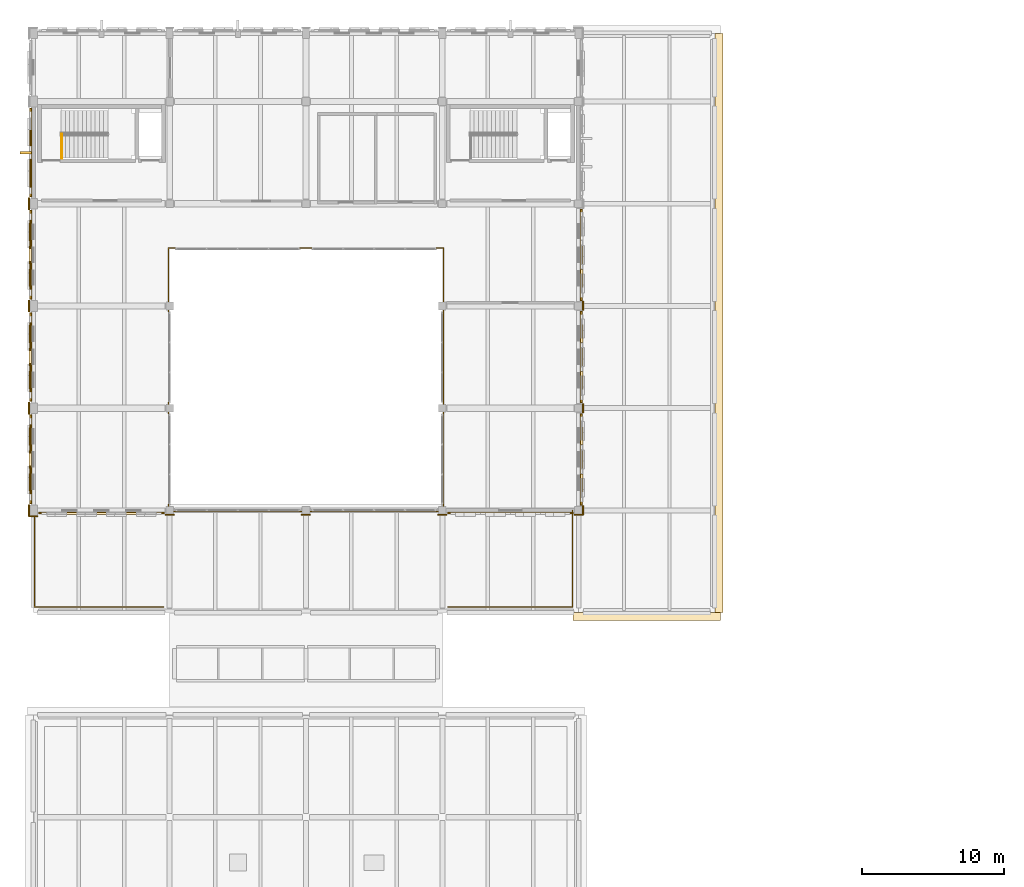
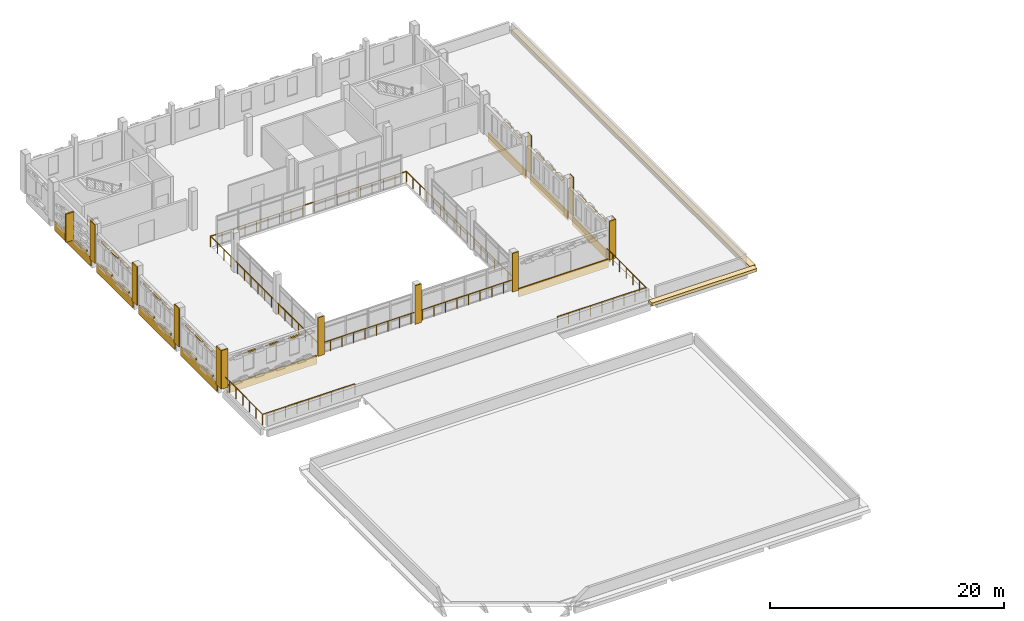
# One storey, part 44 of 50: 59 coverings, 5 railings.
"""IFC4 building model written with IfcOpenShell, lengths in metres."""

from ifc_helpers import new_model, si_unit, direction, frame, origin, origin_2d, place, context, subcontext, project, spatial, rectangle, circle, extrude, material, layer, layer_set, type_object, element, save


model = new_model("IFC4")

# Units and contexts
model_context = context("Model", 3, precision=1e-05, world=origin(), true_north=direction((0.0, 1.0)))
body_context = subcontext(model_context, "Body", "Model", "MODEL_VIEW")
ifc_project = project(units=[si_unit("LENGTHUNIT", "METRE"), si_unit("AREAUNIT", "SQUARE_METRE"), si_unit("VOLUMEUNIT", "CUBIC_METRE"), si_unit("PLANEANGLEUNIT", "RADIAN"), si_unit("MASSUNIT", "GRAM", prefix="KILO")], contexts=[model_context])

# Site, building, storey
site_placement = place(None, origin())
site = spatial("IfcSite", under=ifc_project, at=site_placement, CompositionType="ELEMENT")
building_placement = place(site_placement, origin())
building = spatial("IfcBuilding", under=site, at=building_placement, Name="Asteropetra Specialist Clinic", CompositionType="ELEMENT")
storey_placement = place(building_placement, frame((0.0, 0.0, 16.659912109375)))
storey = spatial("IfcBuildingStorey", under=building, at=storey_placement, Name="L04", CompositionType="ELEMENT", Elevation=16.659912109375)

# Railings
ifc_material_1 = material(Name="Pentelic marble and bronze balustrade", Category="masonry")
railing_type_1 = type_object("IfcRailingType", Name="BAL-STONE-1150", PredefinedType="BALUSTRADE", material=ifc_material_1)
railing_1_placement = place(storey_placement, frame((0.080078125, 76.800048828125, 0.0)))
element("IfcRailing", 1, at=railing_1_placement, inside=storey, type_object=railing_type_1, Name="Perimeter Guard BAL-V4-L04S-W", PredefinedType="BALUSTRADE", context=body_context, shape_type="SweptSolid", body=[
    extrude(circle(Radius=0.02392578125, at=origin_2d()), frame((0.0, 0.0, 1.1259765625), z_axis=(0.0, -1.0, 0.0), x_axis=(1.0, 0.0, 0.0)), (0.0, 0.0, 1.0), 6.800048828125),
    extrude(circle(Radius=0.02392578125, at=origin_2d()), frame((0.0, -6.800048828125, 1.1259765625), z_axis=(1.0, 0.0, 0.0), x_axis=(0.0, 1.0, 0.0)), (0.0, 0.0, 1.0), 9.099853515625),
    extrude(circle(Radius=0.02099609375, at=origin_2d()), origin(), (0.0, 0.0, 1.0), 1.101806640625),
    extrude(circle(Radius=0.02099609375, at=origin_2d()), frame((0.0, -1.13330078125, 0.0)), (0.0, 0.0, 1.0), 1.101806640625),
    extrude(circle(Radius=0.02099609375, at=origin_2d()), frame((0.0, -2.2666015625, 0.0)), (0.0, 0.0, 1.0), 1.101806640625),
    extrude(circle(Radius=0.02099609375, at=origin_2d()), frame((0.0, -3.39990234375, 0.0)), (0.0, 0.0, 1.0), 1.101806640625),
    extrude(circle(Radius=0.02099609375, at=origin_2d()), frame((0.0, -4.533447265625, 0.0)), (0.0, 0.0, 1.0), 1.101806640625),
    extrude(circle(Radius=0.02099609375, at=origin_2d()), frame((0.0, -5.666748046875, 0.0)), (0.0, 0.0, 1.0), 1.101806640625),
    extrude(circle(Radius=0.02099609375, at=origin_2d()), frame((0.0, -6.800048828125, 0.0)), (0.0, 0.0, 1.0), 1.101806640625),
    extrude(circle(Radius=0.02099609375, at=origin_2d()), frame((1.137451171875, -6.800048828125, 0.0)), (0.0, 0.0, 1.0), 1.101806640625),
    extrude(circle(Radius=0.02099609375, at=origin_2d()), frame((2.27490234375, -6.800048828125, 0.0)), (0.0, 0.0, 1.0), 1.101806640625),
    extrude(circle(Radius=0.02099609375, at=origin_2d()), frame((3.412353515625, -6.800048828125, 0.0)), (0.0, 0.0, 1.0), 1.101806640625),
    extrude(circle(Radius=0.02099609375, at=origin_2d()), frame((4.5498046875, -6.800048828125, 0.0)), (0.0, 0.0, 1.0), 1.101806640625),
    extrude(circle(Radius=0.02099609375, at=origin_2d()), frame((5.6875, -6.800048828125, 0.0)), (0.0, 0.0, 1.0), 1.101806640625),
    extrude(circle(Radius=0.02099609375, at=origin_2d()), frame((6.824951171875, -6.800048828125, 0.0)), (0.0, 0.0, 1.0), 1.101806640625),
    extrude(circle(Radius=0.02099609375, at=origin_2d()), frame((7.96240234375, -6.800048828125, 0.0)), (0.0, 0.0, 1.0), 1.101806640625),
    extrude(circle(Radius=0.02099609375, at=origin_2d()), frame((9.099853515625, -6.800048828125, 0.0)), (0.0, 0.0, 1.0), 1.101806640625),
])
railing_2_placement = place(storey_placement, frame((29.219970703125, 70.0, 0.0)))
element("IfcRailing", 2, at=railing_2_placement, inside=storey, type_object=railing_type_1, Name="Perimeter Guard BAL-V4-L04S-E", PredefinedType="BALUSTRADE", context=body_context, shape_type="SweptSolid", body=[
    extrude(circle(Radius=0.02392578125, at=origin_2d()), frame((0.0, 0.0, 1.1259765625), z_axis=(1.0, 0.0, 0.0), x_axis=(0.0, 1.0, 0.0)), (0.0, 0.0, 1.0), 8.760009765625),
    extrude(circle(Radius=0.02392578125, at=origin_2d()), frame((8.760009765625, 0.0, 1.1259765625), z_axis=(0.0, 1.0, 0.0), x_axis=(-1.0, 0.0, 0.0)), (0.0, 0.0, 1.0), 6.800048828125),
    extrude(circle(Radius=0.02099609375, at=origin_2d()), origin(), (0.0, 0.0, 1.0), 1.101806640625),
    extrude(circle(Radius=0.02099609375, at=origin_2d()), frame((1.094970703125, 0.0, 0.0)), (0.0, 0.0, 1.0), 1.101806640625),
    extrude(circle(Radius=0.02099609375, at=origin_2d()), frame((2.18994140625, 0.0, 0.0)), (0.0, 0.0, 1.0), 1.101806640625),
    extrude(circle(Radius=0.02099609375, at=origin_2d()), frame((3.284912109375, 0.0, 0.0)), (0.0, 0.0, 1.0), 1.101806640625),
    extrude(circle(Radius=0.02099609375, at=origin_2d()), frame((4.3798828125, 0.0, 0.0)), (0.0, 0.0, 1.0), 1.101806640625),
    extrude(circle(Radius=0.02099609375, at=origin_2d()), frame((5.47509765625, 0.0, 0.0)), (0.0, 0.0, 1.0), 1.101806640625),
    extrude(circle(Radius=0.02099609375, at=origin_2d()), frame((6.570068359375, 0.0, 0.0)), (0.0, 0.0, 1.0), 1.101806640625),
    extrude(circle(Radius=0.02099609375, at=origin_2d()), frame((7.6650390625, 0.0, 0.0)), (0.0, 0.0, 1.0), 1.101806640625),
    extrude(circle(Radius=0.02099609375, at=origin_2d()), frame((8.760009765625, 0.0, 0.0)), (0.0, 0.0, 1.0), 1.101806640625),
    extrude(circle(Radius=0.02099609375, at=origin_2d()), frame((8.760009765625, 1.13330078125, 0.0)), (0.0, 0.0, 1.0), 1.101806640625),
    extrude(circle(Radius=0.02099609375, at=origin_2d()), frame((8.760009765625, 2.2666015625, 0.0)), (0.0, 0.0, 1.0), 1.101806640625),
    extrude(circle(Radius=0.02099609375, at=origin_2d()), frame((8.760009765625, 3.39990234375, 0.0)), (0.0, 0.0, 1.0), 1.101806640625),
    extrude(circle(Radius=0.02099609375, at=origin_2d()), frame((8.760009765625, 4.533447265625, 0.0)), (0.0, 0.0, 1.0), 1.101806640625),
    extrude(circle(Radius=0.02099609375, at=origin_2d()), frame((8.760009765625, 5.666748046875, 0.0)), (0.0, 0.0, 1.0), 1.101806640625),
    extrude(circle(Radius=0.02099609375, at=origin_2d()), frame((8.760009765625, 6.800048828125, 0.0)), (0.0, 0.0, 1.0), 1.101806640625),
])

# Coverings
ifc_material_2 = material(Name="Chevron ivory")
ifc_layer_1 = layer(ifc_material_2, 0.1201171875)
ifc_layer_set_1 = layer_set([ifc_layer_1], Name="Chevron ivory")
covering_type_1 = type_object("IfcCoveringType", Name="CLD-TER-IVORY", PredefinedType="CLADDING", material=ifc_layer_set_1)
for number, where, z_axis, x_axis, name in (
    (3, (4.800048828125, 76.614990234375, -0.7998046875), (0.0, 0.0, 1.0), (1.0, 0.0, 0.0), "Chevron Spandrel Band CV-1569"),
    (4, (33.60009765625, 76.614990234375, -0.7998046875), (0.0, 0.0, 1.0), (1.0, 0.0, 0.0), "Chevron Spandrel Band CV-1612"),
):
    element("IfcCovering", number, at=place(storey_placement, frame(where, z_axis=z_axis, x_axis=x_axis)), inside=storey, type_object=covering_type_1, Name=name, PredefinedType="CLADDING", context=body_context, shape_type="SweptSolid", body=[
        extrude(rectangle(XDim=8.85009765625, YDim=0.1201171875, at=origin_2d()), origin(), (0.0, 0.0, 1.0), 0.8798828125),
    ])
covering_1_placement = place(storey_placement, frame((-0.18505859375, 80.39990234375, -0.7998046875), z_axis=(0.0, 0.0, 1.0), x_axis=(1.0, 0.0, 0.0)))
element("IfcCovering", 5, at=covering_1_placement, inside=storey, type_object=covering_type_1, Name="Chevron Spandrel Band CV-1627", PredefinedType="CLADDING", context=body_context, shape_type="SweptSolid", body=[
    extrude(rectangle(XDim=0.1201171875, YDim=6.25, at=origin_2d()), origin(), (0.0, 0.0, 1.0), 0.8798828125),
])
for number, where, z_axis, x_axis, name in (
    (6, (-0.199951171875, 82.2822265625, 0.1201171875), (0.0, 0.0, 1.0), (1.0, 0.0, 0.0), "Chevron Ceramic Band CV-1628"),
    (7, (-0.199951171875, 81.422607421875, 0.26025390625), (0.0, 0.0, 1.0), (1.0, 0.0, 0.0), "Chevron Ceramic Band CV-1629"),
    (8, (-0.199951171875, 79.377197265625, 0.1201171875), (0.0, 0.0, 1.0), (1.0, 0.0, 0.0), "Chevron Ceramic Band CV-1630"),
    (9, (-0.199951171875, 78.517578125, 0.26025390625), (0.0, 0.0, 1.0), (1.0, 0.0, 0.0), "Chevron Ceramic Band CV-1631"),
):
    element("IfcCovering", number, at=place(storey_placement, frame(where, z_axis=z_axis, x_axis=x_axis)), inside=storey, type_object=covering_type_1, Name=name, PredefinedType="CLADDING", context=body_context, shape_type="SweptSolid", body=[
        extrude(rectangle(XDim=0.1201171875, YDim=1.10400390625, at=origin_2d()), origin(), (0.0, 0.0, 1.0), 0.199951171875),
    ])
covering_2_placement = place(storey_placement, frame((38.5849609375, 80.39990234375, -0.7998046875), z_axis=(0.0, 0.0, 1.0), x_axis=(1.0, 0.0, 0.0)))
element("IfcCovering", 10, at=covering_2_placement, inside=storey, type_object=covering_type_1, Name="Chevron Spandrel Band CV-1635", PredefinedType="CLADDING", context=body_context, shape_type="SweptSolid", body=[
    extrude(rectangle(XDim=0.1201171875, YDim=6.449951171875, at=origin_2d()), origin(), (0.0, 0.0, 1.0), 0.8798828125),
])
covering_3_placement = place(storey_placement, frame((-0.18505859375, 87.60009765625, -0.7998046875), z_axis=(0.0, 0.0, 1.0), x_axis=(1.0, 0.0, 0.0)))
element("IfcCovering", 11, at=covering_3_placement, inside=storey, type_object=covering_type_1, Name="Chevron Spandrel Band CV-1645", PredefinedType="CLADDING", context=body_context, shape_type="SweptSolid", body=[
    extrude(rectangle(XDim=0.1201171875, YDim=6.25, at=origin_2d()), origin(), (0.0, 0.0, 1.0), 0.8798828125),
])
for number, where, z_axis, x_axis, name in (
    (12, (-0.199951171875, 89.482421875, 0.1201171875), (0.0, 0.0, 1.0), (1.0, 0.0, 0.0), "Chevron Ceramic Band CV-1646"),
    (13, (-0.199951171875, 88.622802734375, 0.26025390625), (0.0, 0.0, 1.0), (1.0, 0.0, 0.0), "Chevron Ceramic Band CV-1647"),
    (14, (-0.199951171875, 86.577392578125, 0.1201171875), (0.0, 0.0, 1.0), (1.0, 0.0, 0.0), "Chevron Ceramic Band CV-1648"),
    (15, (-0.199951171875, 85.7177734375, 0.26025390625), (0.0, 0.0, 1.0), (1.0, 0.0, 0.0), "Chevron Ceramic Band CV-1649"),
):
    element("IfcCovering", number, at=place(storey_placement, frame(where, z_axis=z_axis, x_axis=x_axis)), inside=storey, type_object=covering_type_1, Name=name, PredefinedType="CLADDING", context=body_context, shape_type="SweptSolid", body=[
        extrude(rectangle(XDim=0.1201171875, YDim=1.10400390625, at=origin_2d()), origin(), (0.0, 0.0, 1.0), 0.199951171875),
    ])
covering_4_placement = place(storey_placement, frame((38.5849609375, 87.60009765625, -0.7998046875), z_axis=(0.0, 0.0, 1.0), x_axis=(1.0, 0.0, 0.0)))
element("IfcCovering", 16, at=covering_4_placement, inside=storey, type_object=covering_type_1, Name="Chevron Spandrel Band CV-1653", PredefinedType="CLADDING", context=body_context, shape_type="SweptSolid", body=[
    extrude(rectangle(XDim=0.1201171875, YDim=6.449951171875, at=origin_2d()), origin(), (0.0, 0.0, 1.0), 0.8798828125),
])
covering_5_placement = place(storey_placement, frame((-0.18505859375, 94.800048828125, -0.7998046875), z_axis=(0.0, 0.0, 1.0), x_axis=(1.0, 0.0, 0.0)))
element("IfcCovering", 17, at=covering_5_placement, inside=storey, type_object=covering_type_1, Name="Chevron Spandrel Band CV-1663", PredefinedType="CLADDING", context=body_context, shape_type="SweptSolid", body=[
    extrude(rectangle(XDim=0.1201171875, YDim=6.25, at=origin_2d()), origin(), (0.0, 0.0, 1.0), 0.8798828125),
])
for number, where, z_axis, x_axis, name in (
    (18, (-0.199951171875, 96.682373046875, 0.1201171875), (0.0, 0.0, 1.0), (1.0, 0.0, 0.0), "Chevron Ceramic Band CV-1664"),
    (19, (-0.199951171875, 95.82275390625, 0.26025390625), (0.0, 0.0, 1.0), (1.0, 0.0, 0.0), "Chevron Ceramic Band CV-1665"),
    (20, (-0.199951171875, 93.77734375, 0.1201171875), (0.0, 0.0, 1.0), (1.0, 0.0, 0.0), "Chevron Ceramic Band CV-1666"),
    (21, (-0.199951171875, 92.917724609375, 0.26025390625), (0.0, 0.0, 1.0), (1.0, 0.0, 0.0), "Chevron Ceramic Band CV-1667"),
):
    element("IfcCovering", number, at=place(storey_placement, frame(where, z_axis=z_axis, x_axis=x_axis)), inside=storey, type_object=covering_type_1, Name=name, PredefinedType="CLADDING", context=body_context, shape_type="SweptSolid", body=[
        extrude(rectangle(XDim=0.1201171875, YDim=1.10400390625, at=origin_2d()), origin(), (0.0, 0.0, 1.0), 0.199951171875),
    ])
covering_6_placement = place(storey_placement, frame((38.5849609375, 94.800048828125, -0.7998046875), z_axis=(0.0, 0.0, 1.0), x_axis=(1.0, 0.0, 0.0)))
element("IfcCovering", 22, at=covering_6_placement, inside=storey, type_object=covering_type_1, Name="Chevron Spandrel Band CV-1671", PredefinedType="CLADDING", context=body_context, shape_type="SweptSolid", body=[
    extrude(rectangle(XDim=0.1201171875, YDim=6.449951171875, at=origin_2d()), origin(), (0.0, 0.0, 1.0), 0.8798828125),
])
covering_7_placement = place(storey_placement, frame((-0.18505859375, 102.0, -0.7998046875), z_axis=(0.0, 0.0, 1.0), x_axis=(1.0, 0.0, 0.0)))
element("IfcCovering", 23, at=covering_7_placement, inside=storey, type_object=covering_type_1, Name="Chevron Spandrel Band CV-1678", PredefinedType="CLADDING", context=body_context, shape_type="SweptSolid", body=[
    extrude(rectangle(XDim=0.1201171875, YDim=6.25, at=origin_2d()), origin(), (0.0, 0.0, 1.0), 0.8798828125),
])
for number, where, z_axis, x_axis, name in (
    (24, (-0.199951171875, 103.022705078125, 0.26025390625), (0.0, 0.0, 1.0), (1.0, 0.0, 0.0), "Chevron Ceramic Band CV-1680"),
    (25, (-0.199951171875, 100.977294921875, 0.1201171875), (0.0, 0.0, 1.0), (1.0, 0.0, 0.0), "Chevron Ceramic Band CV-1681"),
    (26, (-0.199951171875, 100.117919921875, 0.26025390625), (0.0, 0.0, 1.0), (1.0, 0.0, 0.0), "Chevron Ceramic Band CV-1682"),
):
    element("IfcCovering", number, at=place(storey_placement, frame(where, z_axis=z_axis, x_axis=x_axis)), inside=storey, type_object=covering_type_1, Name=name, PredefinedType="CLADDING", context=body_context, shape_type="SweptSolid", body=[
        extrude(rectangle(XDim=0.1201171875, YDim=1.10400390625, at=origin_2d()), origin(), (0.0, 0.0, 1.0), 0.199951171875),
    ])
ifc_material_3 = material(Name="Pentelic marble ashlar", Category="masonry")
ifc_layer_2 = layer(ifc_material_3, 0.159912109375)
ifc_layer_set_2 = layer_set([ifc_layer_2], Name="Pentelic marble ashlar")
covering_type_2 = type_object("IfcCoveringType", Name="CRN-ENTAB-600", PredefinedType="MOLDING", material=ifc_layer_set_2)
covering_8_placement = place(storey_placement, frame((0.0, 76.39306640625, 0.02001953125), z_axis=(0.0, 0.0, 1.0), x_axis=(1.0, 0.0, 0.0)))
element("IfcCovering", 27, at=covering_8_placement, inside=storey, type_object=covering_type_2, Name="Neoclassical Pilaster Facing CM-0701", PredefinedType="MOLDING", context=body_context, shape_type="SweptSolid", body=[
    extrude(rectangle(XDim=0.6298828125, YDim=0.080078125, at=origin_2d()), origin(), (0.0, 0.0, 1.0), 4.0400390625),
])
for number, where, z_axis, x_axis, name in (
    (28, (-0.306884765625, 76.800048828125, 0.02001953125), (0.0, 0.0, 1.0), (1.0, 0.0, 0.0), "Neoclassical Pilaster Facing CM-0702"),
    (29, (-0.306884765625, 84.0, 0.02001953125), (0.0, 0.0, 1.0), (1.0, 0.0, 0.0), "Neoclassical Pilaster Facing CM-0703"),
    (30, (-0.306884765625, 91.199951171875, 0.02001953125), (0.0, 0.0, 1.0), (1.0, 0.0, 0.0), "Neoclassical Pilaster Facing CM-0704"),
    (31, (-0.306884765625, 98.39990234375, 0.02001953125), (0.0, 0.0, 1.0), (1.0, 0.0, 0.0), "Neoclassical Pilaster Facing CM-0705"),
):
    element("IfcCovering", number, at=place(storey_placement, frame(where, z_axis=z_axis, x_axis=x_axis)), inside=storey, type_object=covering_type_2, Name=name, PredefinedType="MOLDING", context=body_context, shape_type="SweptSolid", body=[
        extrude(rectangle(XDim=0.080078125, YDim=0.830078125, at=origin_2d()), origin(), (0.0, 0.0, 1.0), 4.0400390625),
    ])
for number, where, z_axis, x_axis, name in (
    (32, (9.60009765625, 76.492919921875, 0.02001953125), (0.0, 0.0, 1.0), (1.0, 0.0, 0.0), "Neoclassical Pilaster Facing CM-0709"),
    (33, (19.199951171875, 76.492919921875, 0.02001953125), (0.0, 0.0, 1.0), (1.0, 0.0, 0.0), "Neoclassical Pilaster Facing CM-0711"),
    (34, (28.800048828125, 76.492919921875, 0.02001953125), (0.0, 0.0, 1.0), (1.0, 0.0, 0.0), "Neoclassical Pilaster Facing CM-0713"),
    (35, (38.39990234375, 76.492919921875, 0.02001953125), (0.0, 0.0, 1.0), (1.0, 0.0, 0.0), "Neoclassical Pilaster Facing CM-0715"),
):
    element("IfcCovering", number, at=place(storey_placement, frame(where, z_axis=z_axis, x_axis=x_axis)), inside=storey, type_object=covering_type_2, Name=name, PredefinedType="MOLDING", context=body_context, shape_type="SweptSolid", body=[
        extrude(rectangle(XDim=0.6298828125, YDim=0.080078125, at=origin_2d()), origin(), (0.0, 0.0, 1.0), 4.0400390625),
    ])
for number, where, z_axis, x_axis, name in (
    (36, (38.70703125, 76.800048828125, 0.02001953125), (0.0, 0.0, 1.0), (1.0, 0.0, 0.0), "Neoclassical Pilaster Facing CM-0716"),
    (37, (38.70703125, 84.0, 0.02001953125), (0.0, 0.0, 1.0), (1.0, 0.0, 0.0), "Neoclassical Pilaster Facing CM-0717"),
    (38, (38.70703125, 91.199951171875, 0.02001953125), (0.0, 0.0, 1.0), (1.0, 0.0, 0.0), "Neoclassical Pilaster Facing CM-0718"),
):
    element("IfcCovering", number, at=place(storey_placement, frame(where, z_axis=z_axis, x_axis=x_axis)), inside=storey, type_object=covering_type_2, Name=name, PredefinedType="MOLDING", context=body_context, shape_type="SweptSolid", body=[
        extrude(rectangle(XDim=0.080078125, YDim=0.6298828125, at=origin_2d()), origin(), (0.0, 0.0, 1.0), 4.0400390625),
    ])
for number, where, z_axis, x_axis, name in (
    (39, (2.53759765625, 76.5849609375, 2.77001953125), (0.0, 0.0, 1.0), (1.0, 0.0, 0.0), "Classical Window Hood WH-1566"),
    (40, (4.800048828125, 76.5849609375, 2.77001953125), (0.0, 0.0, 1.0), (1.0, 0.0, 0.0), "Classical Window Hood WH-1567"),
    (41, (7.0625, 76.5849609375, 2.77001953125), (0.0, 0.0, 1.0), (1.0, 0.0, 0.0), "Classical Window Hood WH-1568"),
):
    element("IfcCovering", number, at=place(storey_placement, frame(where, z_axis=z_axis, x_axis=x_axis)), inside=storey, type_object=covering_type_2, Name=name, PredefinedType="MOLDING", context=body_context, shape_type="SweptSolid", body=[
        extrude(rectangle(XDim=1.260009765625, YDim=0.159912109375, at=origin_2d()), origin(), (0.0, 0.0, 1.0), 0.139892578125),
    ])
for number, where, z_axis, x_axis, name in (
    (42, (-0.215087890625, 82.012451171875, 2.77001953125), (0.0, 0.0, 1.0), (1.0, 0.0, 0.0), "Classical Window Hood WH-1624"),
    (43, (-0.215087890625, 80.39990234375, 2.77001953125), (0.0, 0.0, 1.0), (1.0, 0.0, 0.0), "Classical Window Hood WH-1625"),
    (44, (-0.215087890625, 78.78759765625, 2.77001953125), (0.0, 0.0, 1.0), (1.0, 0.0, 0.0), "Classical Window Hood WH-1626"),
    (45, (38.614990234375, 78.737548828125, 2.77001953125), (0.0, 0.0, 1.0), (1.0, 0.0, 0.0), "Classical Window Hood WH-1632"),
    (46, (38.614990234375, 80.39990234375, 2.77001953125), (0.0, 0.0, 1.0), (1.0, 0.0, 0.0), "Classical Window Hood WH-1633"),
    (47, (38.614990234375, 82.0625, 2.77001953125), (0.0, 0.0, 1.0), (1.0, 0.0, 0.0), "Classical Window Hood WH-1634"),
    (48, (-0.215087890625, 89.21240234375, 2.77001953125), (0.0, 0.0, 1.0), (1.0, 0.0, 0.0), "Classical Window Hood WH-1642"),
    (49, (-0.215087890625, 87.60009765625, 2.77001953125), (0.0, 0.0, 1.0), (1.0, 0.0, 0.0), "Classical Window Hood WH-1643"),
    (50, (-0.215087890625, 85.987548828125, 2.77001953125), (0.0, 0.0, 1.0), (1.0, 0.0, 0.0), "Classical Window Hood WH-1644"),
    (51, (38.614990234375, 85.9375, 2.77001953125), (0.0, 0.0, 1.0), (1.0, 0.0, 0.0), "Classical Window Hood WH-1650"),
    (52, (38.614990234375, 87.60009765625, 2.77001953125), (0.0, 0.0, 1.0), (1.0, 0.0, 0.0), "Classical Window Hood WH-1651"),
    (53, (38.614990234375, 89.262451171875, 2.77001953125), (0.0, 0.0, 1.0), (1.0, 0.0, 0.0), "Classical Window Hood WH-1652"),
    (54, (-0.215087890625, 96.41259765625, 2.77001953125), (0.0, 0.0, 1.0), (1.0, 0.0, 0.0), "Classical Window Hood WH-1660"),
    (55, (-0.215087890625, 94.800048828125, 2.77001953125), (0.0, 0.0, 1.0), (1.0, 0.0, 0.0), "Classical Window Hood WH-1661"),
    (56, (-0.215087890625, 93.1875, 2.77001953125), (0.0, 0.0, 1.0), (1.0, 0.0, 0.0), "Classical Window Hood WH-1662"),
    (57, (38.614990234375, 93.137451171875, 2.77001953125), (0.0, 0.0, 1.0), (1.0, 0.0, 0.0), "Classical Window Hood WH-1668"),
    (58, (38.614990234375, 94.800048828125, 2.77001953125), (0.0, 0.0, 1.0), (1.0, 0.0, 0.0), "Classical Window Hood WH-1669"),
):
    element("IfcCovering", number, at=place(storey_placement, frame(where, z_axis=z_axis, x_axis=x_axis)), inside=storey, type_object=covering_type_2, Name=name, PredefinedType="MOLDING", context=body_context, shape_type="SweptSolid", body=[
        extrude(rectangle(XDim=0.159912109375, YDim=1.260009765625, at=origin_2d()), origin(), (0.0, 0.0, 1.0), 0.139892578125),
    ])
covering_9_placement = place(storey_placement, frame((43.199951171875, 69.320068359375, -0.27978515625), z_axis=(0.0, 0.0, 1.0), x_axis=(1.0, 0.0, 0.0)))
element("IfcCovering", 59, at=covering_9_placement, inside=storey, type_object=covering_type_2, Name="Classical Entablature Cornice EC-020", PredefinedType="MOLDING", context=body_context, shape_type="SweptSolid", body=[
    extrude(rectangle(XDim=10.39990234375, YDim=0.56005859375, at=origin_2d()), origin(), (0.0, 0.0, 1.0), 0.320068359375),
])
covering_10_placement = place(storey_placement, frame((48.280029296875, 90.0, -0.27978515625), z_axis=(0.0, 0.0, 1.0), x_axis=(1.0, 0.0, 0.0)))
element("IfcCovering", 60, at=covering_10_placement, inside=storey, type_object=covering_type_2, Name="Classical Entablature Cornice EC-022", PredefinedType="MOLDING", context=body_context, shape_type="SweptSolid", body=[
    extrude(rectangle(XDim=0.56005859375, YDim=40.800048828125, at=origin_2d()), origin(), (0.0, 0.0, 1.0), 0.320068359375),
])
ifc_material_4 = material(Name="Pentelic marble solar fin", Category="masonry")
ifc_layer_3 = layer(ifc_material_4, 0.080078125)
ifc_layer_set_3 = layer_set([ifc_layer_3], Name="Pentelic marble solar fin")
covering_type_3 = type_object("IfcCoveringType", Name="FIN-SOLAR-800", PredefinedType="MOLDING", material=ifc_layer_set_3)
covering_11_placement = place(storey_placement, frame((-0.5400390625, 102.0, 0.070068359375), z_axis=(0.0, 0.0, 1.0), x_axis=(1.0, 0.0, 0.0)))
element("IfcCovering", 61, at=covering_11_placement, inside=storey, type_object=covering_type_3, Name="Solar Shading Fin FN-0115", PredefinedType="MOLDING", context=body_context, shape_type="SweptSolid", body=[
    extrude(rectangle(XDim=0.800048828125, YDim=0.159912109375, at=origin_2d()), origin(), (0.0, 0.0, 1.0), 2.93994140625),
])

# Railings
ifc_material_5 = material(Name="Powder-coated Steel S355 guardrail", Category="steel")
railing_type_2 = type_object("IfcRailingType", Name="GRD-EXT-1120", PredefinedType="GUARDRAIL", material=ifc_material_5)
railing_3_placement = place(storey_placement, frame((9.52001953125, 76.719970703125, 0.0)))
element("IfcRailing", 62, at=railing_3_placement, inside=storey, type_object=railing_type_2, Name="Perimeter Guard GRD-CT-L04-05A", PredefinedType="GUARDRAIL", context=body_context, shape_type="SweptSolid", body=[
    extrude(circle(Radius=0.02392578125, at=origin_2d()), frame((0.0, 0.0, 1.09619140625), z_axis=(1.0, 0.0, 0.0), x_axis=(0.0, 1.0, 0.0)), (0.0, 0.0, 1.0), 19.35986328125),
    extrude(circle(Radius=0.02392578125, at=origin_2d()), frame((19.35986328125, 0.0, 1.09619140625), z_axis=(0.0, 1.0, 0.0), x_axis=(-1.0, 0.0, 0.0)), (0.0, 0.0, 1.0), 18.56005859375),
    extrude(circle(Radius=0.02099609375, at=origin_2d()), origin(), (0.0, 0.0, 1.0), 1.072021484375),
    extrude(circle(Radius=0.02099609375, at=origin_2d()), frame((1.138916015625, 0.0, 0.0)), (0.0, 0.0, 1.0), 1.072021484375),
    extrude(circle(Radius=0.02099609375, at=origin_2d()), frame((2.277587890625, 0.0, 0.0)), (0.0, 0.0, 1.0), 1.072021484375),
    extrude(circle(Radius=0.02099609375, at=origin_2d()), frame((3.41650390625, 0.0, 0.0)), (0.0, 0.0, 1.0), 1.072021484375),
    extrude(circle(Radius=0.02099609375, at=origin_2d()), frame((4.55517578125, 0.0, 0.0)), (0.0, 0.0, 1.0), 1.072021484375),
    extrude(circle(Radius=0.02099609375, at=origin_2d()), frame((5.694091796875, 0.0, 0.0)), (0.0, 0.0, 1.0), 1.072021484375),
    extrude(circle(Radius=0.02099609375, at=origin_2d()), frame((6.8330078125, 0.0, 0.0)), (0.0, 0.0, 1.0), 1.072021484375),
    extrude(circle(Radius=0.02099609375, at=origin_2d()), frame((7.9716796875, 0.0, 0.0)), (0.0, 0.0, 1.0), 1.072021484375),
    extrude(circle(Radius=0.02099609375, at=origin_2d()), frame((9.110595703125, 0.0, 0.0)), (0.0, 0.0, 1.0), 1.072021484375),
    extrude(circle(Radius=0.02099609375, at=origin_2d()), frame((10.249267578125, 0.0, 0.0)), (0.0, 0.0, 1.0), 1.072021484375),
    extrude(circle(Radius=0.02099609375, at=origin_2d()), frame((11.38818359375, 0.0, 0.0)), (0.0, 0.0, 1.0), 1.072021484375),
    extrude(circle(Radius=0.02099609375, at=origin_2d()), frame((12.52685546875, 0.0, 0.0)), (0.0, 0.0, 1.0), 1.072021484375),
    extrude(circle(Radius=0.02099609375, at=origin_2d()), frame((13.665771484375, 0.0, 0.0)), (0.0, 0.0, 1.0), 1.072021484375),
    extrude(circle(Radius=0.02099609375, at=origin_2d()), frame((14.8046875, 0.0, 0.0)), (0.0, 0.0, 1.0), 1.072021484375),
    extrude(circle(Radius=0.02099609375, at=origin_2d()), frame((15.943359375, 0.0, 0.0)), (0.0, 0.0, 1.0), 1.072021484375),
    extrude(circle(Radius=0.02099609375, at=origin_2d()), frame((17.082275390625, 0.0, 0.0)), (0.0, 0.0, 1.0), 1.072021484375),
    extrude(circle(Radius=0.02099609375, at=origin_2d()), frame((18.220947265625, 0.0, 0.0)), (0.0, 0.0, 1.0), 1.072021484375),
    extrude(circle(Radius=0.02099609375, at=origin_2d()), frame((19.35986328125, 0.0, 0.0)), (0.0, 0.0, 1.0), 1.072021484375),
    extrude(circle(Radius=0.02099609375, at=origin_2d()), frame((19.35986328125, 1.159912109375, 0.0)), (0.0, 0.0, 1.0), 1.072021484375),
    extrude(circle(Radius=0.02099609375, at=origin_2d()), frame((19.35986328125, 2.320068359375, 0.0)), (0.0, 0.0, 1.0), 1.072021484375),
    extrude(circle(Radius=0.02099609375, at=origin_2d()), frame((19.35986328125, 3.47998046875, 0.0)), (0.0, 0.0, 1.0), 1.072021484375),
    extrude(circle(Radius=0.02099609375, at=origin_2d()), frame((19.35986328125, 4.64013671875, 0.0)), (0.0, 0.0, 1.0), 1.072021484375),
    extrude(circle(Radius=0.02099609375, at=origin_2d()), frame((19.35986328125, 5.800048828125, 0.0)), (0.0, 0.0, 1.0), 1.072021484375),
    extrude(circle(Radius=0.02099609375, at=origin_2d()), frame((19.35986328125, 6.9599609375, 0.0)), (0.0, 0.0, 1.0), 1.072021484375),
    extrude(circle(Radius=0.02099609375, at=origin_2d()), frame((19.35986328125, 8.1201171875, 0.0)), (0.0, 0.0, 1.0), 1.072021484375),
    extrude(circle(Radius=0.02099609375, at=origin_2d()), frame((19.35986328125, 9.280029296875, 0.0)), (0.0, 0.0, 1.0), 1.072021484375),
    extrude(circle(Radius=0.02099609375, at=origin_2d()), frame((19.35986328125, 10.43994140625, 0.0)), (0.0, 0.0, 1.0), 1.072021484375),
    extrude(circle(Radius=0.02099609375, at=origin_2d()), frame((19.35986328125, 11.60009765625, 0.0)), (0.0, 0.0, 1.0), 1.072021484375),
    extrude(circle(Radius=0.02099609375, at=origin_2d()), frame((19.35986328125, 12.760009765625, 0.0)), (0.0, 0.0, 1.0), 1.072021484375),
    extrude(circle(Radius=0.02099609375, at=origin_2d()), frame((19.35986328125, 13.919921875, 0.0)), (0.0, 0.0, 1.0), 1.072021484375),
    extrude(circle(Radius=0.02099609375, at=origin_2d()), frame((19.35986328125, 15.080078125, 0.0)), (0.0, 0.0, 1.0), 1.072021484375),
    extrude(circle(Radius=0.02099609375, at=origin_2d()), frame((19.35986328125, 16.239990234375, 0.0)), (0.0, 0.0, 1.0), 1.072021484375),
    extrude(circle(Radius=0.02099609375, at=origin_2d()), frame((19.35986328125, 17.400146484375, 0.0)), (0.0, 0.0, 1.0), 1.072021484375),
    extrude(circle(Radius=0.02099609375, at=origin_2d()), frame((19.35986328125, 18.56005859375, 0.0)), (0.0, 0.0, 1.0), 1.072021484375),
])
railing_4_placement = place(storey_placement, frame((28.8798828125, 95.280029296875, 0.0)))
element("IfcRailing", 63, at=railing_4_placement, inside=storey, type_object=railing_type_2, Name="Perimeter Guard GRD-CT-L04-05B", PredefinedType="GUARDRAIL", context=body_context, shape_type="SweptSolid", body=[
    extrude(circle(Radius=0.02392578125, at=origin_2d()), frame((0.0, 0.0, 1.09619140625), z_axis=(-1.0, 0.0, 0.0), x_axis=(0.0, -1.0, 0.0)), (0.0, 0.0, 1.0), 19.35986328125),
    extrude(circle(Radius=0.02392578125, at=origin_2d()), frame((-19.35986328125, 0.0, 1.09619140625), z_axis=(0.0, -1.0, 0.0), x_axis=(1.0, 0.0, 0.0)), (0.0, 0.0, 1.0), 18.56005859375),
    extrude(circle(Radius=0.02099609375, at=origin_2d()), origin(), (0.0, 0.0, 1.0), 1.072021484375),
    extrude(circle(Radius=0.02099609375, at=origin_2d()), frame((-1.138916015625, 0.0, 0.0)), (0.0, 0.0, 1.0), 1.072021484375),
    extrude(circle(Radius=0.02099609375, at=origin_2d()), frame((-2.277587890625, 0.0, 0.0)), (0.0, 0.0, 1.0), 1.072021484375),
    extrude(circle(Radius=0.02099609375, at=origin_2d()), frame((-3.41650390625, 0.0, 0.0)), (0.0, 0.0, 1.0), 1.072021484375),
    extrude(circle(Radius=0.02099609375, at=origin_2d()), frame((-4.55517578125, 0.0, 0.0)), (0.0, 0.0, 1.0), 1.072021484375),
    extrude(circle(Radius=0.02099609375, at=origin_2d()), frame((-5.694091796875, 0.0, 0.0)), (0.0, 0.0, 1.0), 1.072021484375),
    extrude(circle(Radius=0.02099609375, at=origin_2d()), frame((-6.8330078125, 0.0, 0.0)), (0.0, 0.0, 1.0), 1.072021484375),
    extrude(circle(Radius=0.02099609375, at=origin_2d()), frame((-7.9716796875, 0.0, 0.0)), (0.0, 0.0, 1.0), 1.072021484375),
    extrude(circle(Radius=0.02099609375, at=origin_2d()), frame((-9.110595703125, 0.0, 0.0)), (0.0, 0.0, 1.0), 1.072021484375),
    extrude(circle(Radius=0.02099609375, at=origin_2d()), frame((-10.249267578125, 0.0, 0.0)), (0.0, 0.0, 1.0), 1.072021484375),
    extrude(circle(Radius=0.02099609375, at=origin_2d()), frame((-11.38818359375, 0.0, 0.0)), (0.0, 0.0, 1.0), 1.072021484375),
    extrude(circle(Radius=0.02099609375, at=origin_2d()), frame((-12.52685546875, 0.0, 0.0)), (0.0, 0.0, 1.0), 1.072021484375),
    extrude(circle(Radius=0.02099609375, at=origin_2d()), frame((-13.665771484375, 0.0, 0.0)), (0.0, 0.0, 1.0), 1.072021484375),
    extrude(circle(Radius=0.02099609375, at=origin_2d()), frame((-14.8046875, 0.0, 0.0)), (0.0, 0.0, 1.0), 1.072021484375),
    extrude(circle(Radius=0.02099609375, at=origin_2d()), frame((-15.943359375, 0.0, 0.0)), (0.0, 0.0, 1.0), 1.072021484375),
    extrude(circle(Radius=0.02099609375, at=origin_2d()), frame((-17.082275390625, 0.0, 0.0)), (0.0, 0.0, 1.0), 1.072021484375),
    extrude(circle(Radius=0.02099609375, at=origin_2d()), frame((-18.220947265625, 0.0, 0.0)), (0.0, 0.0, 1.0), 1.072021484375),
    extrude(circle(Radius=0.02099609375, at=origin_2d()), frame((-19.35986328125, 0.0, 0.0)), (0.0, 0.0, 1.0), 1.072021484375),
    extrude(circle(Radius=0.02099609375, at=origin_2d()), frame((-19.35986328125, -1.159912109375, 0.0)), (0.0, 0.0, 1.0), 1.072021484375),
    extrude(circle(Radius=0.02099609375, at=origin_2d()), frame((-19.35986328125, -2.320068359375, 0.0)), (0.0, 0.0, 1.0), 1.072021484375),
    extrude(circle(Radius=0.02099609375, at=origin_2d()), frame((-19.35986328125, -3.47998046875, 0.0)), (0.0, 0.0, 1.0), 1.072021484375),
    extrude(circle(Radius=0.02099609375, at=origin_2d()), frame((-19.35986328125, -4.64013671875, 0.0)), (0.0, 0.0, 1.0), 1.072021484375),
    extrude(circle(Radius=0.02099609375, at=origin_2d()), frame((-19.35986328125, -5.800048828125, 0.0)), (0.0, 0.0, 1.0), 1.072021484375),
    extrude(circle(Radius=0.02099609375, at=origin_2d()), frame((-19.35986328125, -6.9599609375, 0.0)), (0.0, 0.0, 1.0), 1.072021484375),
    extrude(circle(Radius=0.02099609375, at=origin_2d()), frame((-19.35986328125, -8.1201171875, 0.0)), (0.0, 0.0, 1.0), 1.072021484375),
    extrude(circle(Radius=0.02099609375, at=origin_2d()), frame((-19.35986328125, -9.280029296875, 0.0)), (0.0, 0.0, 1.0), 1.072021484375),
    extrude(circle(Radius=0.02099609375, at=origin_2d()), frame((-19.35986328125, -10.43994140625, 0.0)), (0.0, 0.0, 1.0), 1.072021484375),
    extrude(circle(Radius=0.02099609375, at=origin_2d()), frame((-19.35986328125, -11.60009765625, 0.0)), (0.0, 0.0, 1.0), 1.072021484375),
    extrude(circle(Radius=0.02099609375, at=origin_2d()), frame((-19.35986328125, -12.760009765625, 0.0)), (0.0, 0.0, 1.0), 1.072021484375),
    extrude(circle(Radius=0.02099609375, at=origin_2d()), frame((-19.35986328125, -13.919921875, 0.0)), (0.0, 0.0, 1.0), 1.072021484375),
    extrude(circle(Radius=0.02099609375, at=origin_2d()), frame((-19.35986328125, -15.080078125, 0.0)), (0.0, 0.0, 1.0), 1.072021484375),
    extrude(circle(Radius=0.02099609375, at=origin_2d()), frame((-19.35986328125, -16.239990234375, 0.0)), (0.0, 0.0, 1.0), 1.072021484375),
    extrude(circle(Radius=0.02099609375, at=origin_2d()), frame((-19.35986328125, -17.400146484375, 0.0)), (0.0, 0.0, 1.0), 1.072021484375),
    extrude(circle(Radius=0.02099609375, at=origin_2d()), frame((-19.35986328125, -18.56005859375, 0.0)), (0.0, 0.0, 1.0), 1.072021484375),
])
ifc_material_6 = material(Name="Steel S355 and laminated glass guard", Category="steel")
railing_type_3 = type_object("IfcRailingType", Name="GRD-INT-1120", PredefinedType="GUARDRAIL", material=ifc_material_6)
railing_5_placement = place(storey_placement, frame((2.0, 101.580078125, 0.0)))
element("IfcRailing", 64, at=railing_5_placement, inside=storey, type_object=railing_type_3, Name="Stair Well Guard ST01-L03", PredefinedType="GUARDRAIL", context=body_context, shape_type="SweptSolid", body=[
    extrude(circle(Radius=0.02392578125, at=origin_2d()), frame((0.0, 0.0, 1.09619140625), z_axis=(0.0, 1.0, 0.0), x_axis=(-1.0, 0.0, 0.0)), (0.0, 0.0, 1.0), 1.72998046875),
    extrude(circle(Radius=0.02099609375, at=origin_2d()), origin(), (0.0, 0.0, 1.0), 1.072021484375),
    extrude(circle(Radius=0.02099609375, at=origin_2d()), frame((0.0, 0.864990234375, 0.0)), (0.0, 0.0, 1.0), 1.072021484375),
    extrude(circle(Radius=0.02099609375, at=origin_2d()), frame((0.0, 1.72998046875, 0.0)), (0.0, 0.0, 1.0), 1.072021484375),
])

save(model, "model.ifc")
